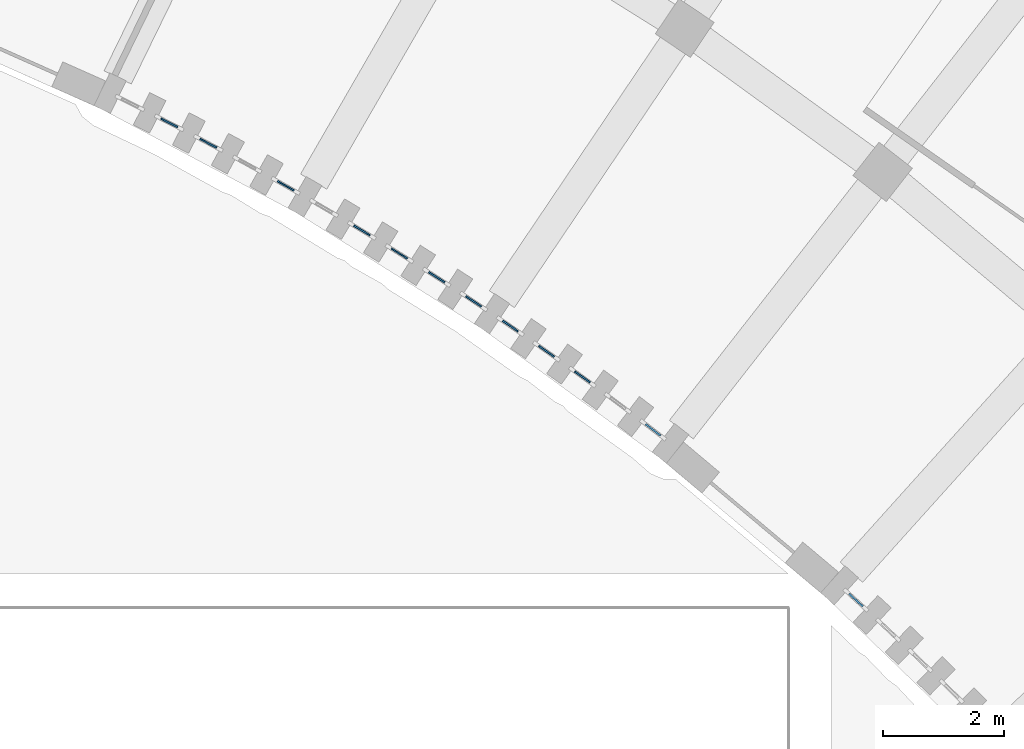
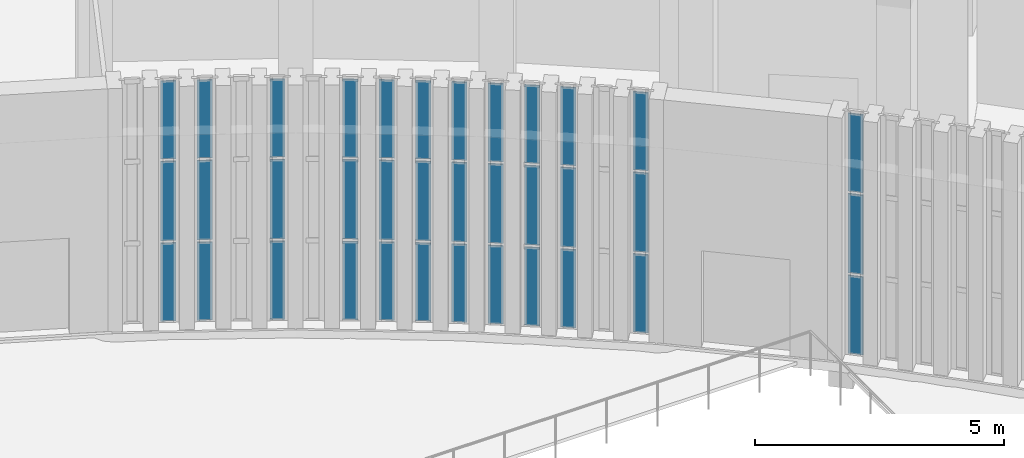
# One storey, part 81 of 155: 36 plates, 12 elements without a shape of their own.
"""IFC4 building model written with IfcOpenShell, lengths in metres."""

from ifc_helpers import new_model, si_unit, direction, frame, origin, origin_2d, place, context, subcontext, project, spatial, rectangle, extrude, material, layer, layer_set, type_object, element, aggregate, save


model = new_model("IFC4")

# Units and contexts
model_context = context("Model", 3, precision=1e-05, world=origin(), true_north=direction((0.0, 1.0)))
body_context = subcontext(model_context, "Body", "Model", "MODEL_VIEW")
ifc_project = project(units=[si_unit("LENGTHUNIT", "METRE"), si_unit("AREAUNIT", "SQUARE_METRE"), si_unit("VOLUMEUNIT", "CUBIC_METRE"), si_unit("PLANEANGLEUNIT", "RADIAN"), si_unit("MASSUNIT", "GRAM", prefix="KILO")], contexts=[model_context])

# Site, building, storey
site_placement = place(None, origin())
site = spatial("IfcSite", under=ifc_project, at=site_placement, CompositionType="ELEMENT")
building_placement = place(site_placement, origin())
building = spatial("IfcBuilding", under=site, at=building_placement, Name="Lunette Opera House", CompositionType="ELEMENT")
storey_placement = place(building_placement, origin())
storey = spatial("IfcBuildingStorey", under=building, at=storey_placement, Name="L00", CompositionType="ELEMENT", Elevation=0.0)

# Curtain wall, plates
ifc_material_1 = material(Name="Aluminium", Category="aluminium")
ifc_layer_1 = layer(ifc_material_1, 0.1201171875)
ifc_layer_set_1 = layer_set([ifc_layer_1], Name="Aluminium")
curtain_wall_type = type_object("IfcCurtainWallType", Name="SLOT CURTAIN WALL", PredefinedType="NOTDEFINED", material=ifc_layer_set_1)
curtain_wall_1_placement = place(storey_placement, origin())
curtain_wall_1 = element("IfcCurtainWall", 1, at=curtain_wall_1_placement, inside=storey, type_object=curtain_wall_type, Name="Slot Curtain Wall CS062 L00", PredefinedType="NOTDEFINED")
ifc_material_2 = material(Name="Laminated glass", Category="glass")
ifc_layer_2 = layer(ifc_material_2, 0.028076171875)
ifc_layer_set_2 = layer_set([ifc_layer_2], Name="Laminated glass")
plate_type = type_object("IfcPlateType", Name="CURTAIN PANEL LAMINATED GLASS 28", PredefinedType="CURTAIN_PANEL", material=ifc_layer_set_2)
plate_1_placement = place(storey_placement, frame((119.906005859375, 46.51611328125, 0.06005859375), z_axis=(0.0, 0.0, 1.0), x_axis=(0.889720446935, -0.45650577905, 0.0)))
plate_1 = element("IfcPlate", 2, at=plate_1_placement, type_object=plate_type, Name="FC-X2123 panel 1.1", PredefinedType="CURTAIN_PANEL", context=body_context, shape_type="SweptSolid", body=[
    extrude(rectangle(XDim=0.309326171875, YDim=0.028076171875, at=origin_2d()), origin(), (0.0, 0.0, 1.0), 1.909912109375),
])
plate_2_placement = place(storey_placement, frame((119.906005859375, 46.51611328125, 2.030029296875), z_axis=(0.0, 0.0, 1.0), x_axis=(0.889720446935, -0.45650577905, 0.0)))
plate_2 = element("IfcPlate", 3, at=plate_2_placement, type_object=plate_type, Name="FC-X2123 panel 1.2", PredefinedType="CURTAIN_PANEL", context=body_context, shape_type="SweptSolid", body=[
    extrude(rectangle(XDim=0.309326171875, YDim=0.028076171875, at=origin_2d()), origin(), (0.0, 0.0, 1.0), 1.93994140625),
])
plate_3_placement = place(storey_placement, frame((119.906005859375, 46.51611328125, 4.0302734375), z_axis=(0.0, 0.0, 1.0), x_axis=(0.889720446935, -0.45650577905, 0.0)))
plate_3 = element("IfcPlate", 4, at=plate_3_placement, type_object=plate_type, Name="FC-X2123 panel 1.3", PredefinedType="CURTAIN_PANEL", context=body_context, shape_type="SweptSolid", body=[
    extrude(rectangle(XDim=0.309326171875, YDim=0.028076171875, at=origin_2d()), origin(), (0.0, 0.0, 1.0), 1.909912109375),
])
aggregate(curtain_wall_1, [plate_1, plate_2, plate_3])

curtain_wall_2_placement = place(storey_placement, origin())
curtain_wall_2 = element("IfcCurtainWall", 5, at=curtain_wall_2_placement, inside=storey, type_object=curtain_wall_type, Name="Slot Curtain Wall CS063 L00", PredefinedType="NOTDEFINED")
plate_4_placement = place(storey_placement, frame((120.552978515625, 46.177978515625, 0.06005859375), z_axis=(0.0, 0.0, 1.0), x_axis=(0.882995347914, -0.469381737569, 0.0)))
plate_4 = element("IfcPlate", 6, at=plate_4_placement, type_object=plate_type, Name="FC-X2125 panel 1.1", PredefinedType="CURTAIN_PANEL", context=body_context, shape_type="SweptSolid", body=[
    extrude(rectangle(XDim=0.310302734375, YDim=0.028076171875, at=origin_2d()), origin(), (0.0, 0.0, 1.0), 1.909912109375),
])
plate_5_placement = place(storey_placement, frame((120.552978515625, 46.177978515625, 2.030029296875), z_axis=(0.0, 0.0, 1.0), x_axis=(0.882995347914, -0.469381737569, 0.0)))
plate_5 = element("IfcPlate", 7, at=plate_5_placement, type_object=plate_type, Name="FC-X2125 panel 1.2", PredefinedType="CURTAIN_PANEL", context=body_context, shape_type="SweptSolid", body=[
    extrude(rectangle(XDim=0.310302734375, YDim=0.028076171875, at=origin_2d()), origin(), (0.0, 0.0, 1.0), 1.93994140625),
])
plate_6_placement = place(storey_placement, frame((120.552978515625, 46.177978515625, 4.0302734375), z_axis=(0.0, 0.0, 1.0), x_axis=(0.882995347914, -0.469381737569, 0.0)))
plate_6 = element("IfcPlate", 8, at=plate_6_placement, type_object=plate_type, Name="FC-X2125 panel 1.3", PredefinedType="CURTAIN_PANEL", context=body_context, shape_type="SweptSolid", body=[
    extrude(rectangle(XDim=0.310302734375, YDim=0.028076171875, at=origin_2d()), origin(), (0.0, 0.0, 1.0), 1.909912109375),
])
aggregate(curtain_wall_2, [plate_4, plate_5, plate_6])

curtain_wall_3_placement = place(storey_placement, origin())
curtain_wall_3 = element("IfcCurtainWall", 9, at=curtain_wall_3_placement, inside=storey, type_object=curtain_wall_type, Name="Slot Curtain Wall CS065 L00", PredefinedType="NOTDEFINED")
plate_7_placement = place(storey_placement, frame((121.8330078125, 45.47412109375, 0.06005859375), z_axis=(0.0, 0.0, 1.0), x_axis=(0.869955662474, -0.493129947711, 0.0)))
plate_7 = element("IfcPlate", 10, at=plate_7_placement, type_object=plate_type, Name="FC-X2129 panel 1.1", PredefinedType="CURTAIN_PANEL", context=body_context, shape_type="SweptSolid", body=[
    extrude(rectangle(XDim=0.309814453125, YDim=0.028076171875, at=origin_2d()), origin(), (0.0, 0.0, 1.0), 1.909912109375),
])
plate_8_placement = place(storey_placement, frame((121.8330078125, 45.47412109375, 2.030029296875), z_axis=(0.0, 0.0, 1.0), x_axis=(0.869955662474, -0.493129947711, 0.0)))
plate_8 = element("IfcPlate", 11, at=plate_8_placement, type_object=plate_type, Name="FC-X2129 panel 1.2", PredefinedType="CURTAIN_PANEL", context=body_context, shape_type="SweptSolid", body=[
    extrude(rectangle(XDim=0.309814453125, YDim=0.028076171875, at=origin_2d()), origin(), (0.0, 0.0, 1.0), 1.93994140625),
])
plate_9_placement = place(storey_placement, frame((121.8330078125, 45.47412109375, 4.0302734375), z_axis=(0.0, 0.0, 1.0), x_axis=(0.869955662474, -0.493129947711, 0.0)))
plate_9 = element("IfcPlate", 12, at=plate_9_placement, type_object=plate_type, Name="FC-X2129 panel 1.3", PredefinedType="CURTAIN_PANEL", context=body_context, shape_type="SweptSolid", body=[
    extrude(rectangle(XDim=0.309814453125, YDim=0.028076171875, at=origin_2d()), origin(), (0.0, 0.0, 1.0), 1.909912109375),
])
aggregate(curtain_wall_3, [plate_7, plate_8, plate_9])

curtain_wall_4_placement = place(storey_placement, origin())
curtain_wall_4 = element("IfcCurtainWall", 13, at=curtain_wall_4_placement, inside=storey, type_object=curtain_wall_type, Name="Slot Curtain Wall CS067 L00", PredefinedType="NOTDEFINED")
plate_10_placement = place(storey_placement, frame((123.093017578125, 44.735595703125, 0.06005859375), z_axis=(0.0, 0.0, 1.0), x_axis=(0.855229045475, -0.518250209625, 0.0)))
plate_10 = element("IfcPlate", 14, at=plate_10_placement, type_object=plate_type, Name="FC-X2133 panel 1.1", PredefinedType="CURTAIN_PANEL", context=body_context, shape_type="SweptSolid", body=[
    extrude(rectangle(XDim=0.310302734375, YDim=0.028076171875, at=origin_2d()), origin(), (0.0, 0.0, 1.0), 1.909912109375),
])
plate_11_placement = place(storey_placement, frame((123.093017578125, 44.735595703125, 2.030029296875), z_axis=(0.0, 0.0, 1.0), x_axis=(0.855229045475, -0.518250209625, 0.0)))
plate_11 = element("IfcPlate", 15, at=plate_11_placement, type_object=plate_type, Name="FC-X2133 panel 1.2", PredefinedType="CURTAIN_PANEL", context=body_context, shape_type="SweptSolid", body=[
    extrude(rectangle(XDim=0.310302734375, YDim=0.028076171875, at=origin_2d()), origin(), (0.0, 0.0, 1.0), 1.93994140625),
])
plate_12_placement = place(storey_placement, frame((123.093017578125, 44.735595703125, 4.0302734375), z_axis=(0.0, 0.0, 1.0), x_axis=(0.855229045475, -0.518250209625, 0.0)))
plate_12 = element("IfcPlate", 16, at=plate_12_placement, type_object=plate_type, Name="FC-X2133 panel 1.3", PredefinedType="CURTAIN_PANEL", context=body_context, shape_type="SweptSolid", body=[
    extrude(rectangle(XDim=0.310302734375, YDim=0.028076171875, at=origin_2d()), origin(), (0.0, 0.0, 1.0), 1.909912109375),
])
aggregate(curtain_wall_4, [plate_10, plate_11, plate_12])

curtain_wall_5_placement = place(storey_placement, origin())
curtain_wall_5 = element("IfcCurtainWall", 17, at=curtain_wall_5_placement, inside=storey, type_object=curtain_wall_type, Name="Slot Curtain Wall CS068 L00", PredefinedType="NOTDEFINED")
plate_13_placement = place(storey_placement, frame((123.714599609375, 44.35302734375, 0.06005859375), z_axis=(0.0, 0.0, 1.0), x_axis=(0.848128819893, -0.52979005735, 0.0)))
plate_13 = element("IfcPlate", 18, at=plate_13_placement, type_object=plate_type, Name="FC-X2135 panel 1.1", PredefinedType="CURTAIN_PANEL", context=body_context, shape_type="SweptSolid", body=[
    extrude(rectangle(XDim=0.310302734375, YDim=0.028076171875, at=origin_2d()), origin(), (0.0, 0.0, 1.0), 1.909912109375),
])
plate_14_placement = place(storey_placement, frame((123.714599609375, 44.35302734375, 2.030029296875), z_axis=(0.0, 0.0, 1.0), x_axis=(0.848128819893, -0.52979005735, 0.0)))
plate_14 = element("IfcPlate", 19, at=plate_14_placement, type_object=plate_type, Name="FC-X2135 panel 1.2", PredefinedType="CURTAIN_PANEL", context=body_context, shape_type="SweptSolid", body=[
    extrude(rectangle(XDim=0.310302734375, YDim=0.028076171875, at=origin_2d()), origin(), (0.0, 0.0, 1.0), 1.93994140625),
])
plate_15_placement = place(storey_placement, frame((123.714599609375, 44.35302734375, 4.0302734375), z_axis=(0.0, 0.0, 1.0), x_axis=(0.848128819893, -0.52979005735, 0.0)))
plate_15 = element("IfcPlate", 20, at=plate_15_placement, type_object=plate_type, Name="FC-X2135 panel 1.3", PredefinedType="CURTAIN_PANEL", context=body_context, shape_type="SweptSolid", body=[
    extrude(rectangle(XDim=0.310302734375, YDim=0.028076171875, at=origin_2d()), origin(), (0.0, 0.0, 1.0), 1.909912109375),
])
aggregate(curtain_wall_5, [plate_13, plate_14, plate_15])

curtain_wall_6_placement = place(storey_placement, origin())
curtain_wall_6 = element("IfcCurtainWall", 21, at=curtain_wall_6_placement, inside=storey, type_object=curtain_wall_type, Name="Slot Curtain Wall CS069 L00", PredefinedType="NOTDEFINED")
plate_16_placement = place(storey_placement, frame((124.3310546875, 43.96142578125, 0.06005859375), z_axis=(0.0, 0.0, 1.0), x_axis=(0.840876455946, -0.541227111143, 0.0)))
plate_16 = element("IfcPlate", 22, at=plate_16_placement, type_object=plate_type, Name="FC-X2137 panel 1.1", PredefinedType="CURTAIN_PANEL", context=body_context, shape_type="SweptSolid", body=[
    extrude(rectangle(XDim=0.310546875, YDim=0.028076171875, at=origin_2d()), origin(), (0.0, 0.0, 1.0), 1.909912109375),
])
plate_17_placement = place(storey_placement, frame((124.3310546875, 43.96142578125, 2.030029296875), z_axis=(0.0, 0.0, 1.0), x_axis=(0.840876455946, -0.541227111143, 0.0)))
plate_17 = element("IfcPlate", 23, at=plate_17_placement, type_object=plate_type, Name="FC-X2137 panel 1.2", PredefinedType="CURTAIN_PANEL", context=body_context, shape_type="SweptSolid", body=[
    extrude(rectangle(XDim=0.310546875, YDim=0.028076171875, at=origin_2d()), origin(), (0.0, 0.0, 1.0), 1.93994140625),
])
plate_18_placement = place(storey_placement, frame((124.3310546875, 43.96142578125, 4.0302734375), z_axis=(0.0, 0.0, 1.0), x_axis=(0.840876455946, -0.541227111143, 0.0)))
plate_18 = element("IfcPlate", 24, at=plate_18_placement, type_object=plate_type, Name="FC-X2137 panel 1.3", PredefinedType="CURTAIN_PANEL", context=body_context, shape_type="SweptSolid", body=[
    extrude(rectangle(XDim=0.310546875, YDim=0.028076171875, at=origin_2d()), origin(), (0.0, 0.0, 1.0), 1.909912109375),
])
aggregate(curtain_wall_6, [plate_16, plate_17, plate_18])

curtain_wall_7_placement = place(storey_placement, origin())
curtain_wall_7 = element("IfcCurtainWall", 25, at=curtain_wall_7_placement, inside=storey, type_object=curtain_wall_type, Name="Slot Curtain Wall CS070 L00", PredefinedType="NOTDEFINED")
plate_19_placement = place(storey_placement, frame((124.94189453125, 43.56103515625, 0.06005859375), z_axis=(0.0, 0.0, 1.0), x_axis=(0.832765343277, -0.553626122068, 0.0)))
plate_19 = element("IfcPlate", 26, at=plate_19_placement, type_object=plate_type, Name="FC-X2139 panel 1.1", PredefinedType="CURTAIN_PANEL", context=body_context, shape_type="SweptSolid", body=[
    extrude(rectangle(XDim=0.309814453125, YDim=0.028076171875, at=origin_2d()), origin(), (0.0, 0.0, 1.0), 1.909912109375),
])
plate_20_placement = place(storey_placement, frame((124.94189453125, 43.56103515625, 2.030029296875), z_axis=(0.0, 0.0, 1.0), x_axis=(0.832765343277, -0.553626122068, 0.0)))
plate_20 = element("IfcPlate", 27, at=plate_20_placement, type_object=plate_type, Name="FC-X2139 panel 1.2", PredefinedType="CURTAIN_PANEL", context=body_context, shape_type="SweptSolid", body=[
    extrude(rectangle(XDim=0.309814453125, YDim=0.028076171875, at=origin_2d()), origin(), (0.0, 0.0, 1.0), 1.93994140625),
])
plate_21_placement = place(storey_placement, frame((124.94189453125, 43.56103515625, 4.0302734375), z_axis=(0.0, 0.0, 1.0), x_axis=(0.832765343277, -0.553626122068, 0.0)))
plate_21 = element("IfcPlate", 28, at=plate_21_placement, type_object=plate_type, Name="FC-X2139 panel 1.3", PredefinedType="CURTAIN_PANEL", context=body_context, shape_type="SweptSolid", body=[
    extrude(rectangle(XDim=0.309814453125, YDim=0.028076171875, at=origin_2d()), origin(), (0.0, 0.0, 1.0), 1.909912109375),
])
aggregate(curtain_wall_7, [plate_19, plate_20, plate_21])

curtain_wall_8_placement = place(storey_placement, origin())
curtain_wall_8 = element("IfcCurtainWall", 29, at=curtain_wall_8_placement, inside=storey, type_object=curtain_wall_type, Name="Slot Curtain Wall CS071 L00", PredefinedType="NOTDEFINED")
plate_22_placement = place(storey_placement, frame((125.547607421875, 43.153564453125, 0.06005859375), z_axis=(0.0, 0.0, 1.0), x_axis=(0.825193212937, -0.56485056548, 0.0)))
plate_22 = element("IfcPlate", 30, at=plate_22_placement, type_object=plate_type, Name="FC-X2141 panel 1.1", PredefinedType="CURTAIN_PANEL", context=body_context, shape_type="SweptSolid", body=[
    extrude(rectangle(XDim=0.310302734375, YDim=0.028076171875, at=origin_2d()), origin(), (0.0, 0.0, 1.0), 1.909912109375),
])
plate_23_placement = place(storey_placement, frame((125.547607421875, 43.153564453125, 2.030029296875), z_axis=(0.0, 0.0, 1.0), x_axis=(0.825193212937, -0.56485056548, 0.0)))
plate_23 = element("IfcPlate", 31, at=plate_23_placement, type_object=plate_type, Name="FC-X2141 panel 1.2", PredefinedType="CURTAIN_PANEL", context=body_context, shape_type="SweptSolid", body=[
    extrude(rectangle(XDim=0.310302734375, YDim=0.028076171875, at=origin_2d()), origin(), (0.0, 0.0, 1.0), 1.93994140625),
])
plate_24_placement = place(storey_placement, frame((125.547607421875, 43.153564453125, 4.0302734375), z_axis=(0.0, 0.0, 1.0), x_axis=(0.825193212937, -0.56485056548, 0.0)))
plate_24 = element("IfcPlate", 32, at=plate_24_placement, type_object=plate_type, Name="FC-X2141 panel 1.3", PredefinedType="CURTAIN_PANEL", context=body_context, shape_type="SweptSolid", body=[
    extrude(rectangle(XDim=0.310302734375, YDim=0.028076171875, at=origin_2d()), origin(), (0.0, 0.0, 1.0), 1.909912109375),
])
aggregate(curtain_wall_8, [plate_22, plate_23, plate_24])

curtain_wall_9_placement = place(storey_placement, origin())
curtain_wall_9 = element("IfcCurtainWall", 33, at=curtain_wall_9_placement, inside=storey, type_object=curtain_wall_type, Name="Slot Curtain Wall CS072 L00", PredefinedType="NOTDEFINED")
plate_25_placement = place(storey_placement, frame((126.14697265625, 42.736083984375, 0.06005859375), z_axis=(0.0, 0.0, 1.0), x_axis=(0.817482433129, -0.575953532436, 0.0)))
plate_25 = element("IfcPlate", 34, at=plate_25_placement, type_object=plate_type, Name="FC-X2143 panel 1.1", PredefinedType="CURTAIN_PANEL", context=body_context, shape_type="SweptSolid", body=[
    extrude(rectangle(XDim=0.310546875, YDim=0.028076171875, at=origin_2d()), origin(), (0.0, 0.0, 1.0), 1.909912109375),
])
plate_26_placement = place(storey_placement, frame((126.14697265625, 42.736083984375, 2.030029296875), z_axis=(0.0, 0.0, 1.0), x_axis=(0.817482433129, -0.575953532436, 0.0)))
plate_26 = element("IfcPlate", 35, at=plate_26_placement, type_object=plate_type, Name="FC-X2143 panel 1.2", PredefinedType="CURTAIN_PANEL", context=body_context, shape_type="SweptSolid", body=[
    extrude(rectangle(XDim=0.310546875, YDim=0.028076171875, at=origin_2d()), origin(), (0.0, 0.0, 1.0), 1.93994140625),
])
plate_27_placement = place(storey_placement, frame((126.14697265625, 42.736083984375, 4.0302734375), z_axis=(0.0, 0.0, 1.0), x_axis=(0.817482433129, -0.575953532436, 0.0)))
plate_27 = element("IfcPlate", 36, at=plate_27_placement, type_object=plate_type, Name="FC-X2143 panel 1.3", PredefinedType="CURTAIN_PANEL", context=body_context, shape_type="SweptSolid", body=[
    extrude(rectangle(XDim=0.310546875, YDim=0.028076171875, at=origin_2d()), origin(), (0.0, 0.0, 1.0), 1.909912109375),
])
aggregate(curtain_wall_9, [plate_25, plate_26, plate_27])

curtain_wall_10_placement = place(storey_placement, origin())
curtain_wall_10 = element("IfcCurtainWall", 37, at=curtain_wall_10_placement, inside=storey, type_object=curtain_wall_type, Name="Slot Curtain Wall CS073 L00", PredefinedType="NOTDEFINED")
plate_28_placement = place(storey_placement, frame((126.740966796875, 42.3115234375, 0.06005859375), z_axis=(0.0, 0.0, 1.0), x_axis=(0.808836580304, -0.58803349085, 0.0)))
plate_28 = element("IfcPlate", 38, at=plate_28_placement, type_object=plate_type, Name="FC-X2145 panel 1.1", PredefinedType="CURTAIN_PANEL", context=body_context, shape_type="SweptSolid", body=[
    extrude(rectangle(XDim=0.310302734375, YDim=0.028076171875, at=origin_2d()), origin(), (0.0, 0.0, 1.0), 1.909912109375),
])
plate_29_placement = place(storey_placement, frame((126.740966796875, 42.3115234375, 2.030029296875), z_axis=(0.0, 0.0, 1.0), x_axis=(0.808836580304, -0.58803349085, 0.0)))
plate_29 = element("IfcPlate", 39, at=plate_29_placement, type_object=plate_type, Name="FC-X2145 panel 1.2", PredefinedType="CURTAIN_PANEL", context=body_context, shape_type="SweptSolid", body=[
    extrude(rectangle(XDim=0.310302734375, YDim=0.028076171875, at=origin_2d()), origin(), (0.0, 0.0, 1.0), 1.93994140625),
])
plate_30_placement = place(storey_placement, frame((126.740966796875, 42.3115234375, 4.0302734375), z_axis=(0.0, 0.0, 1.0), x_axis=(0.808836580304, -0.58803349085, 0.0)))
plate_30 = element("IfcPlate", 40, at=plate_30_placement, type_object=plate_type, Name="FC-X2145 panel 1.3", PredefinedType="CURTAIN_PANEL", context=body_context, shape_type="SweptSolid", body=[
    extrude(rectangle(XDim=0.310302734375, YDim=0.028076171875, at=origin_2d()), origin(), (0.0, 0.0, 1.0), 1.909912109375),
])
aggregate(curtain_wall_10, [plate_28, plate_29, plate_30])

curtain_wall_11_placement = place(storey_placement, origin())
curtain_wall_11 = element("IfcCurtainWall", 41, at=curtain_wall_11_placement, inside=storey, type_object=curtain_wall_type, Name="Slot Curtain Wall CS075 L00", PredefinedType="NOTDEFINED")
plate_31_placement = place(storey_placement, frame((127.910400390625, 41.4365234375, 0.06005859375), z_axis=(0.0, 0.0, 1.0), x_axis=(0.791846424704, -0.610720263036, 0.0)))
plate_31 = element("IfcPlate", 42, at=plate_31_placement, type_object=plate_type, Name="FC-X2149 panel 1.1", PredefinedType="CURTAIN_PANEL", context=body_context, shape_type="SweptSolid", body=[
    extrude(rectangle(XDim=0.310546875, YDim=0.028076171875, at=origin_2d()), origin(), (0.0, 0.0, 1.0), 1.909912109375),
])
plate_32_placement = place(storey_placement, frame((127.910400390625, 41.4365234375, 2.030029296875), z_axis=(0.0, 0.0, 1.0), x_axis=(0.791846424704, -0.610720263036, 0.0)))
plate_32 = element("IfcPlate", 43, at=plate_32_placement, type_object=plate_type, Name="FC-X2149 panel 1.2", PredefinedType="CURTAIN_PANEL", context=body_context, shape_type="SweptSolid", body=[
    extrude(rectangle(XDim=0.310546875, YDim=0.028076171875, at=origin_2d()), origin(), (0.0, 0.0, 1.0), 1.93994140625),
])
plate_33_placement = place(storey_placement, frame((127.910400390625, 41.4365234375, 4.0302734375), z_axis=(0.0, 0.0, 1.0), x_axis=(0.791846424704, -0.610720263036, 0.0)))
plate_33 = element("IfcPlate", 44, at=plate_33_placement, type_object=plate_type, Name="FC-X2149 panel 1.3", PredefinedType="CURTAIN_PANEL", context=body_context, shape_type="SweptSolid", body=[
    extrude(rectangle(XDim=0.310546875, YDim=0.028076171875, at=origin_2d()), origin(), (0.0, 0.0, 1.0), 1.909912109375),
])
aggregate(curtain_wall_11, [plate_31, plate_32, plate_33])

curtain_wall_12_placement = place(storey_placement, origin())
curtain_wall_12 = element("IfcCurtainWall", 45, at=curtain_wall_12_placement, inside=storey, type_object=curtain_wall_type, Name="Slot Curtain Wall CS076 L00", PredefinedType="NOTDEFINED")
plate_34_placement = place(storey_placement, frame((131.26611328125, 38.62109375, 0.06005859375), z_axis=(0.0, 0.0, 1.0), x_axis=(0.738887791071, -0.673828488716, 0.0)))
plate_34 = element("IfcPlate", 46, at=plate_34_placement, type_object=plate_type, Name="FC-X2151 panel 1.1", PredefinedType="CURTAIN_PANEL", context=body_context, shape_type="SweptSolid", body=[
    extrude(rectangle(XDim=0.310302734375, YDim=0.028076171875, at=origin_2d()), origin(), (0.0, 0.0, 1.0), 1.909912109375),
])
plate_35_placement = place(storey_placement, frame((131.26611328125, 38.62109375, 2.030029296875), z_axis=(0.0, 0.0, 1.0), x_axis=(0.738887791071, -0.673828488716, 0.0)))
plate_35 = element("IfcPlate", 47, at=plate_35_placement, type_object=plate_type, Name="FC-X2151 panel 1.2", PredefinedType="CURTAIN_PANEL", context=body_context, shape_type="SweptSolid", body=[
    extrude(rectangle(XDim=0.310302734375, YDim=0.028076171875, at=origin_2d()), origin(), (0.0, 0.0, 1.0), 1.93994140625),
])
plate_36_placement = place(storey_placement, frame((131.26611328125, 38.62109375, 4.0302734375), z_axis=(0.0, 0.0, 1.0), x_axis=(0.738887791071, -0.673828488716, 0.0)))
plate_36 = element("IfcPlate", 48, at=plate_36_placement, type_object=plate_type, Name="FC-X2151 panel 1.3", PredefinedType="CURTAIN_PANEL", context=body_context, shape_type="SweptSolid", body=[
    extrude(rectangle(XDim=0.310302734375, YDim=0.028076171875, at=origin_2d()), origin(), (0.0, 0.0, 1.0), 1.909912109375),
])
aggregate(curtain_wall_12, [plate_34, plate_35, plate_36])

save(model, "model.ifc")
